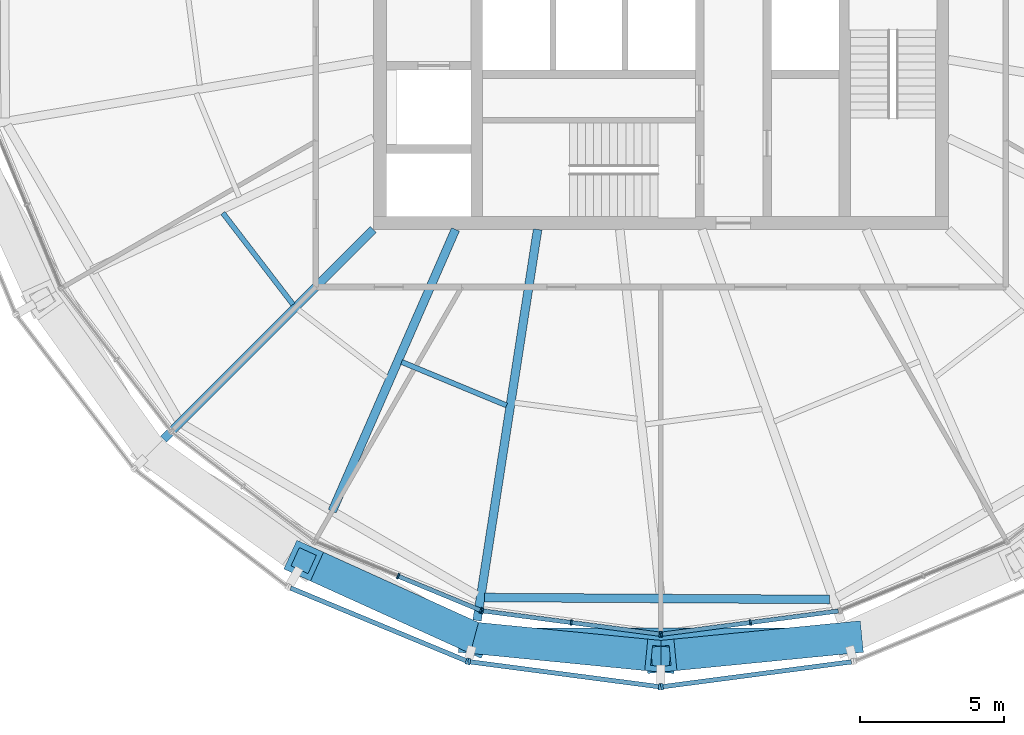
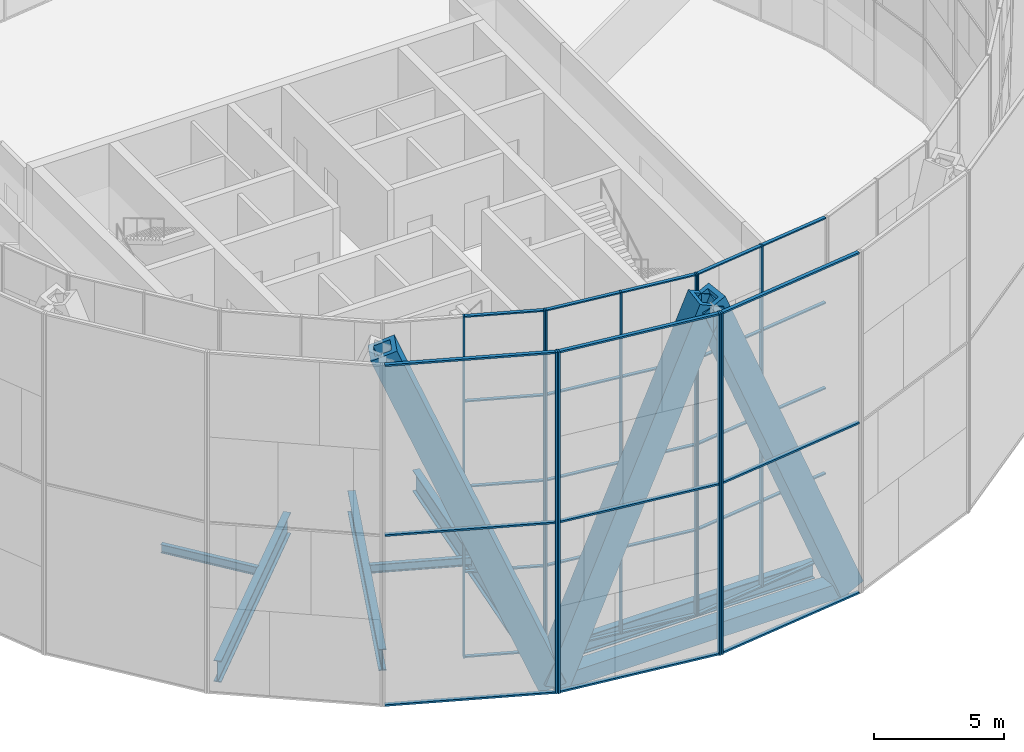
# One storey, part 2 of 30: 48 members, 7 beams, 6 elements without a shape of their own.
"""IFC4 building model written with IfcOpenShell, lengths in metres."""

from ifc_helpers import new_model, si_unit, direction, frame, origin, origin_2d, place, context, subcontext, project, spatial, rectangle, hollow_rectangle, i_section, extrude, material, material_profile, profile_set, type_object, element, aggregate, save


model = new_model("IFC4")

# Units and contexts
model_context = context("Model", 3, precision=1e-05, world=origin(), true_north=direction((0.0, 1.0)))
body_context = subcontext(model_context, "Body", "Model", "MODEL_VIEW")
ifc_project = project(units=[si_unit("LENGTHUNIT", "METRE"), si_unit("AREAUNIT", "SQUARE_METRE"), si_unit("VOLUMEUNIT", "CUBIC_METRE"), si_unit("PLANEANGLEUNIT", "RADIAN"), si_unit("MASSUNIT", "GRAM", prefix="KILO")], contexts=[model_context])

# Site, building, storey
site_placement = place(None, origin())
site = spatial("IfcSite", under=ifc_project, at=site_placement, CompositionType="ELEMENT")
building_placement = place(site_placement, origin())
building = spatial("IfcBuilding", under=site, at=building_placement, Name="Golbaran Civic Tower", CompositionType="ELEMENT")
storey_placement = place(building_placement, frame((0.0, 0.0, 167.0)))
storey = spatial("IfcBuildingStorey", under=building, at=storey_placement, Name="L40", CompositionType="ELEMENT", Elevation=167.0)

# Members
ifc_material_1 = material(Name="Steel S355", Category="steel")
ifc_material_profile_1 = material_profile(ifc_material_1, hollow_rectangle(XDim=1.10009765625, YDim=1.10009765625, WallThickness=0.199951171875, at=origin_2d()), Name="BOX 1100x1100x200")
ifc_profile_set_1 = profile_set([ifc_material_profile_1], Name="Steel S355")
member_type_1 = type_object("IfcMemberType", Name="DIAGRID DIAGONAL BOX 1100x1100x200", PredefinedType="BRACE", material=ifc_profile_set_1)
for number, where, z_axis, x_axis, name in (
    (1, (-6.48681640625, -24.208984375, -0.7099609375), (0.375465296726, -0.036924758011, 0.92610062801), (0.097871849998, 0.995199025812, 0.0), "Diagonal D09-08R L40-L44"),
    (2, (-6.48681640625, -24.208984375, -0.7099609375), (-0.343627476497, 0.155753672162, 0.926099860169), (-0.412834767347, -0.910805936997, 0.0), "Diagonal D09-08L L40-L44"),
    (3, (6.48681640625, -24.208984375, -0.7099609375), (-0.375465296726, -0.036924758011, 0.92610062801), (0.097871849998, -0.995199025812, 0.0), "Diagonal D09-09L L40-L44"),
):
    element("IfcMember", number, at=place(storey_placement, frame(where, z_axis=z_axis, x_axis=x_axis)), inside=storey, type_object=member_type_1, Name=name, PredefinedType="BRACE", context=body_context, shape_type="SweptSolid", body=[
        extrude(hollow_rectangle(XDim=1.10009765625, YDim=1.10009765625, WallThickness=0.199951171875, at=origin_2d()), origin(), (0.0, 0.0, 1.0), 17.27685546875),
    ])

# Beams
ifc_material_profile_2 = material_profile(ifc_material_1, hollow_rectangle(XDim=0.699951171875, YDim=0.699951171875, WallThickness=0.080078125, at=origin_2d()), Name="BOX 700x700x80")
ifc_profile_set_2 = profile_set([ifc_material_profile_2], Name="Steel S355")
beam_type_1 = type_object("IfcBeamType", Name="DIAGRID RING TIE BOX 700x700x80", PredefinedType="BEAM", material=ifc_profile_set_2)
beam_1_placement = place(storey_placement, frame((-6.48681640625, -24.208984375, -0.7099609375), z_axis=(1.0, 0.0, 0.0), x_axis=(0.0, 1.0, 0.0)))
element("IfcBeam", 4, at=beam_1_placement, inside=storey, type_object=beam_type_1, Name="Ring tie 255.00 L40", PredefinedType="BEAM", context=body_context, shape_type="SweptSolid", body=[
    extrude(hollow_rectangle(XDim=0.699951171875, YDim=0.699951171875, WallThickness=0.080078125, at=origin_2d()), origin(), (0.0, 0.0, 1.0), 12.9736328125),
])
ifc_material_profile_3 = material_profile(ifc_material_1, i_section(OverallWidth=0.300048828125, OverallDepth=0.800048828125, WebThickness=0.017578125, FlangeThickness=0.032958984375, FilletRadius=0.030029296875, at=origin_2d()), Name="HEB 800")
ifc_profile_set_3 = profile_set([ifc_material_profile_3], Name="Steel S355")
beam_type_2 = type_object("IfcBeamType", Name="EDGE BEAM HEB 800", PredefinedType="BEAM", material=ifc_profile_set_3)
beam_2_placement = place(storey_placement, frame((-6.13720703125, -22.8017578125, -0.60009765625), z_axis=(0.999984030344, -0.005651464941, 0.0), x_axis=(0.005651464941, 0.999984030344, 0.0)))
element("IfcBeam", 5, at=beam_2_placement, inside=storey, type_object=beam_type_2, Name="Edge beam 255.00 L40", PredefinedType="BEAM", context=body_context, shape_type="SweptSolid", body=[
    extrude(i_section(OverallWidth=0.300048828125, OverallDepth=0.800048828125, WebThickness=0.017578125, FlangeThickness=0.032958984375, FilletRadius=0.030029296875, at=origin_2d()), origin(), (0.0, 0.0, 1.0), 12.009521484375),
])
ifc_material_profile_4 = material_profile(ifc_material_1, i_section(OverallWidth=0.179931640625, OverallDepth=0.39990234375, WebThickness=0.008544921875, FlangeThickness=0.013427734375, FilletRadius=0.02099609375, at=origin_2d()), Name="IPE 400")
ifc_profile_set_4 = profile_set([ifc_material_profile_4], Name="Steel S355")
beam_type_3 = type_object("IfcBeamType", Name="FLOOR INFILL BEAM IPE 400", PredefinedType="BEAM", material=ifc_profile_set_4)
beam_3_placement = place(storey_placement, frame((-15.235107421875, -9.427490234375, -0.39990234375), z_axis=(0.608748404542, -0.793363334146, 0.0), x_axis=(0.793363334146, 0.608748404542, 0.0)))
element("IfcBeam", 6, at=beam_3_placement, inside=storey, type_object=beam_type_3, Name="Infill beam 217.50 L40", PredefinedType="BEAM", context=body_context, shape_type="SweptSolid", body=[
    extrude(i_section(OverallWidth=0.179931640625, OverallDepth=0.39990234375, WebThickness=0.008544921875, FlangeThickness=0.013427734375, FilletRadius=0.02099609375, at=origin_2d()), origin(), (0.0, 0.0, 1.0), 4.010986328125),
])
beam_4_placement = place(storey_placement, frame((-9.01708984375, -14.607421875, -0.39990234375), z_axis=(0.923897142822, -0.382640914546, 0.0), x_axis=(0.382640914546, 0.923897142822, 0.0)))
element("IfcBeam", 7, at=beam_4_placement, inside=storey, type_object=beam_type_3, Name="Infill beam 247.50 L40", PredefinedType="BEAM", context=body_context, shape_type="SweptSolid", body=[
    extrude(i_section(OverallWidth=0.179931640625, OverallDepth=0.39990234375, WebThickness=0.008544921875, FlangeThickness=0.013427734375, FilletRadius=0.02099609375, at=origin_2d()), origin(), (0.0, 0.0, 1.0), 3.95263671875),
])

# Curtain wall, members
ifc_material_2 = material(Name="Aluminium and glass", Category="aluminium")
curtain_wall_type_1 = type_object("IfcCurtainWallType", Name="INNER SKIN CURTAIN WALL EXECUTIVE", PredefinedType="NOTDEFINED", material=ifc_material_2)
curtain_wall_1_placement = place(storey_placement, origin())
curtain_wall_1 = element("IfcCurtainWall", 8, at=curtain_wall_1_placement, inside=storey, type_object=curtain_wall_type_1, Name="Inner skin L40 facet 17 CW2", ObjectType="INNER SKIN", PredefinedType="USERDEFINED")
ifc_material_3 = material(Name="Aluminium", Category="aluminium")
ifc_material_profile_5 = material_profile(ifc_material_3, rectangle(XDim=0.199951171875, YDim=0.06005859375, at=origin_2d()), Name="INNER SKIN CURTAIN WALL EXECUTIVE MULLION")
ifc_profile_set_5 = profile_set([ifc_material_profile_5], Name="Aluminium")
member_type_2 = type_object("IfcMemberType", Name="INNER SKIN CURTAIN WALL EXECUTIVE MULLION", PredefinedType="MULLION", material=ifc_profile_set_5)
member_1_placement = place(storey_placement, frame((-9.13720703125, -22.059326171875, 0.0), z_axis=(0.0, 0.0, 1.0), x_axis=(0.382683432462, 0.923879532471, 0.0)))
member_1 = element("IfcMember", 9, at=member_1_placement, type_object=member_type_2, Name="CW2 mullion 2", PredefinedType="MULLION", context=body_context, shape_type="SweptSolid", body=[
    extrude(rectangle(XDim=0.199951171875, YDim=0.06005859375, at=origin_2d()), origin(), (0.0, 0.0, 1.0), 16.0),
])
member_2_placement = place(storey_placement, frame((-6.2607421875, -23.2509765625, 0.0), z_axis=(0.0, 0.0, 1.0), x_axis=(0.382683432462, 0.923879532471, 0.0)))
member_2 = element("IfcMember", 10, at=member_2_placement, type_object=member_type_2, Name="CW2 mullion 3", PredefinedType="MULLION", context=body_context, shape_type="SweptSolid", body=[
    extrude(rectangle(XDim=0.199951171875, YDim=0.06005859375, at=origin_2d()), origin(), (0.0, 0.0, 1.0), 16.0),
])

curtain_wall_2_placement = place(storey_placement, origin())
curtain_wall_2 = element("IfcCurtainWall", 11, at=curtain_wall_2_placement, inside=storey, type_object=curtain_wall_type_1, Name="Inner skin L40 facet 18 CW2", ObjectType="INNER SKIN", PredefinedType="USERDEFINED")
member_3_placement = place(storey_placement, frame((-6.203369140625, -23.266357421875, 0.0), z_axis=(0.0, 0.0, 1.0), x_axis=(0.130526192151, 0.991444861383, 0.0)))
member_3 = element("IfcMember", 12, at=member_3_placement, type_object=member_type_2, Name="CW2 mullion 1", PredefinedType="MULLION", context=body_context, shape_type="SweptSolid", body=[
    extrude(rectangle(XDim=0.199951171875, YDim=0.06005859375, at=origin_2d()), origin(), (0.0, 0.0, 1.0), 16.0),
])
member_4_placement = place(storey_placement, frame((-3.116455078125, -23.672607421875, 0.0), z_axis=(0.0, 0.0, 1.0), x_axis=(0.130526192151, 0.991444861383, 0.0)))
member_4 = element("IfcMember", 13, at=member_4_placement, type_object=member_type_2, Name="CW2 mullion 2", PredefinedType="MULLION", context=body_context, shape_type="SweptSolid", body=[
    extrude(rectangle(XDim=0.199951171875, YDim=0.06005859375, at=origin_2d()), origin(), (0.0, 0.0, 1.0), 16.0),
])
member_5_placement = place(storey_placement, frame((-0.02978515625, -24.0791015625, 0.0), z_axis=(0.0, 0.0, 1.0), x_axis=(0.130526192151, 0.991444861383, 0.0)))
member_5 = element("IfcMember", 14, at=member_5_placement, type_object=member_type_2, Name="CW2 mullion 3", PredefinedType="MULLION", context=body_context, shape_type="SweptSolid", body=[
    extrude(rectangle(XDim=0.199951171875, YDim=0.06005859375, at=origin_2d()), origin(), (0.0, 0.0, 1.0), 16.0),
])

curtain_wall_3_placement = place(storey_placement, origin())
curtain_wall_3 = element("IfcCurtainWall", 15, at=curtain_wall_3_placement, inside=storey, type_object=curtain_wall_type_1, Name="Inner skin L40 facet 19 CW2", ObjectType="INNER SKIN", PredefinedType="USERDEFINED")
member_6_placement = place(storey_placement, frame((0.02978515625, -24.0791015625, 0.0), z_axis=(0.0, 0.0, 1.0), x_axis=(-0.130526192151, 0.991444861383, 0.0)))
member_6 = element("IfcMember", 16, at=member_6_placement, type_object=member_type_2, Name="CW2 mullion 1", PredefinedType="MULLION", context=body_context, shape_type="SweptSolid", body=[
    extrude(rectangle(XDim=0.199951171875, YDim=0.06005859375, at=origin_2d()), origin(), (0.0, 0.0, 1.0), 16.0),
])
member_7_placement = place(storey_placement, frame((3.116455078125, -23.672607421875, 0.0), z_axis=(0.0, 0.0, 1.0), x_axis=(-0.130526192151, 0.991444861383, 0.0)))
member_7 = element("IfcMember", 17, at=member_7_placement, type_object=member_type_2, Name="CW2 mullion 2", PredefinedType="MULLION", context=body_context, shape_type="SweptSolid", body=[
    extrude(rectangle(XDim=0.199951171875, YDim=0.06005859375, at=origin_2d()), origin(), (0.0, 0.0, 1.0), 16.0),
])

# Member
ifc_material_profile_6 = material_profile(ifc_material_3, rectangle(XDim=0.14990234375, YDim=0.06005859375, at=origin_2d()), Name="INNER SKIN CURTAIN WALL EXECUTIVE TRANSOM")
ifc_profile_set_6 = profile_set([ifc_material_profile_6], Name="Aluminium")
member_type_3 = type_object("IfcMemberType", Name="INNER SKIN CURTAIN WALL EXECUTIVE TRANSOM", PredefinedType="USERDEFINED", material=ifc_profile_set_6)
member_8_placement = place(storey_placement, frame((-9.109619140625, -22.07080078125, 0.030029296875), z_axis=(0.923857982963, -0.382735453435, 0.0), x_axis=(0.382735453435, 0.923857982963, 0.0)))
member_8 = element("IfcMember", 18, at=member_8_placement, type_object=member_type_3, Name="CW2 transom 2.1", ObjectType="TRANSOM", PredefinedType="USERDEFINED", context=body_context, shape_type="SweptSolid", body=[
    extrude(rectangle(XDim=0.14990234375, YDim=0.06005859375, at=origin_2d()), origin(), (0.0, 0.0, 1.0), 3.053466796875),
])

member_9_placement = place(storey_placement, frame((-9.109619140625, -22.07080078125, 4.0), z_axis=(0.923857982963, -0.382735453435, 0.0), x_axis=(0.382735453435, 0.923857982963, 0.0)))
member_9 = element("IfcMember", 19, at=member_9_placement, type_object=member_type_3, Name="CW2 transom 2.2", ObjectType="TRANSOM", PredefinedType="USERDEFINED", context=body_context, shape_type="SweptSolid", body=[
    extrude(rectangle(XDim=0.14990234375, YDim=0.06005859375, at=origin_2d()), origin(), (0.0, 0.0, 1.0), 3.053466796875),
])

member_10_placement = place(storey_placement, frame((-9.109619140625, -22.07080078125, 8.0), z_axis=(0.923857982963, -0.382735453435, 0.0), x_axis=(0.382735453435, 0.923857982963, 0.0)))
member_10 = element("IfcMember", 20, at=member_10_placement, type_object=member_type_3, Name="CW2 transom 2.3", ObjectType="TRANSOM", PredefinedType="USERDEFINED", context=body_context, shape_type="SweptSolid", body=[
    extrude(rectangle(XDim=0.14990234375, YDim=0.06005859375, at=origin_2d()), origin(), (0.0, 0.0, 1.0), 3.053466796875),
])

member_11_placement = place(storey_placement, frame((-9.109619140625, -22.07080078125, 12.0), z_axis=(0.923857982963, -0.382735453435, 0.0), x_axis=(0.382735453435, 0.923857982963, 0.0)))
member_11 = element("IfcMember", 21, at=member_11_placement, type_object=member_type_3, Name="CW2 transom 2.4", ObjectType="TRANSOM", PredefinedType="USERDEFINED", context=body_context, shape_type="SweptSolid", body=[
    extrude(rectangle(XDim=0.14990234375, YDim=0.06005859375, at=origin_2d()), origin(), (0.0, 0.0, 1.0), 3.053466796875),
])

member_12_placement = place(storey_placement, frame((-9.109619140625, -22.07080078125, 15.969970703125), z_axis=(0.923857982963, -0.382735453435, 0.0), x_axis=(0.382735453435, 0.923857982963, 0.0)))
member_12 = element("IfcMember", 22, at=member_12_placement, type_object=member_type_3, Name="CW2 transom 2.5", ObjectType="TRANSOM", PredefinedType="USERDEFINED", context=body_context, shape_type="SweptSolid", body=[
    extrude(rectangle(XDim=0.14990234375, YDim=0.06005859375, at=origin_2d()), origin(), (0.0, 0.0, 1.0), 3.053466796875),
])

aggregate(curtain_wall_1, [member_1, member_2, member_8, member_9, member_10, member_11, member_12])

member_13_placement = place(storey_placement, frame((-6.173583984375, -23.270263671875, 0.030029296875), z_axis=(0.991449940701, -0.130487605099, 0.0), x_axis=(0.130487605099, 0.991449940701, 0.0)))
member_13 = element("IfcMember", 23, at=member_13_placement, type_object=member_type_3, Name="CW2 transom 1.1", ObjectType="TRANSOM", PredefinedType="USERDEFINED", context=body_context, shape_type="SweptSolid", body=[
    extrude(rectangle(XDim=0.14990234375, YDim=0.06005859375, at=origin_2d()), origin(), (0.0, 0.0, 1.0), 3.053466796875),
])

member_14_placement = place(storey_placement, frame((-6.173583984375, -23.270263671875, 4.0), z_axis=(0.991449940701, -0.130487605099, 0.0), x_axis=(0.130487605099, 0.991449940701, 0.0)))
member_14 = element("IfcMember", 24, at=member_14_placement, type_object=member_type_3, Name="CW2 transom 1.2", ObjectType="TRANSOM", PredefinedType="USERDEFINED", context=body_context, shape_type="SweptSolid", body=[
    extrude(rectangle(XDim=0.14990234375, YDim=0.06005859375, at=origin_2d()), origin(), (0.0, 0.0, 1.0), 3.053466796875),
])

member_15_placement = place(storey_placement, frame((-6.173583984375, -23.270263671875, 8.0), z_axis=(0.991449940701, -0.130487605099, 0.0), x_axis=(0.130487605099, 0.991449940701, 0.0)))
member_15 = element("IfcMember", 25, at=member_15_placement, type_object=member_type_3, Name="CW2 transom 1.3", ObjectType="TRANSOM", PredefinedType="USERDEFINED", context=body_context, shape_type="SweptSolid", body=[
    extrude(rectangle(XDim=0.14990234375, YDim=0.06005859375, at=origin_2d()), origin(), (0.0, 0.0, 1.0), 3.053466796875),
])

member_16_placement = place(storey_placement, frame((-6.173583984375, -23.270263671875, 12.0), z_axis=(0.991449940701, -0.130487605099, 0.0), x_axis=(0.130487605099, 0.991449940701, 0.0)))
member_16 = element("IfcMember", 26, at=member_16_placement, type_object=member_type_3, Name="CW2 transom 1.4", ObjectType="TRANSOM", PredefinedType="USERDEFINED", context=body_context, shape_type="SweptSolid", body=[
    extrude(rectangle(XDim=0.14990234375, YDim=0.06005859375, at=origin_2d()), origin(), (0.0, 0.0, 1.0), 3.053466796875),
])

member_17_placement = place(storey_placement, frame((-6.173583984375, -23.270263671875, 15.969970703125), z_axis=(0.991449940701, -0.130487605099, 0.0), x_axis=(0.130487605099, 0.991449940701, 0.0)))
member_17 = element("IfcMember", 27, at=member_17_placement, type_object=member_type_3, Name="CW2 transom 1.5", ObjectType="TRANSOM", PredefinedType="USERDEFINED", context=body_context, shape_type="SweptSolid", body=[
    extrude(rectangle(XDim=0.14990234375, YDim=0.06005859375, at=origin_2d()), origin(), (0.0, 0.0, 1.0), 3.053466796875),
])

member_18_placement = place(storey_placement, frame((-3.0869140625, -23.676513671875, 0.030029296875), z_axis=(0.991439593678, -0.130566198103, 0.0), x_axis=(0.130566198103, 0.991439593678, 0.0)))
member_18 = element("IfcMember", 28, at=member_18_placement, type_object=member_type_3, Name="CW2 transom 2.1", ObjectType="TRANSOM", PredefinedType="USERDEFINED", context=body_context, shape_type="SweptSolid", body=[
    extrude(rectangle(XDim=0.14990234375, YDim=0.06005859375, at=origin_2d()), origin(), (0.0, 0.0, 1.0), 3.053466796875),
])

member_19_placement = place(storey_placement, frame((-3.0869140625, -23.676513671875, 4.0), z_axis=(0.991439593678, -0.130566198103, 0.0), x_axis=(0.130566198103, 0.991439593678, 0.0)))
member_19 = element("IfcMember", 29, at=member_19_placement, type_object=member_type_3, Name="CW2 transom 2.2", ObjectType="TRANSOM", PredefinedType="USERDEFINED", context=body_context, shape_type="SweptSolid", body=[
    extrude(rectangle(XDim=0.14990234375, YDim=0.06005859375, at=origin_2d()), origin(), (0.0, 0.0, 1.0), 3.053466796875),
])

member_20_placement = place(storey_placement, frame((-3.0869140625, -23.676513671875, 8.0), z_axis=(0.991439593678, -0.130566198103, 0.0), x_axis=(0.130566198103, 0.991439593678, 0.0)))
member_20 = element("IfcMember", 30, at=member_20_placement, type_object=member_type_3, Name="CW2 transom 2.3", ObjectType="TRANSOM", PredefinedType="USERDEFINED", context=body_context, shape_type="SweptSolid", body=[
    extrude(rectangle(XDim=0.14990234375, YDim=0.06005859375, at=origin_2d()), origin(), (0.0, 0.0, 1.0), 3.053466796875),
])

member_21_placement = place(storey_placement, frame((-3.0869140625, -23.676513671875, 12.0), z_axis=(0.991439593678, -0.130566198103, 0.0), x_axis=(0.130566198103, 0.991439593678, 0.0)))
member_21 = element("IfcMember", 31, at=member_21_placement, type_object=member_type_3, Name="CW2 transom 2.4", ObjectType="TRANSOM", PredefinedType="USERDEFINED", context=body_context, shape_type="SweptSolid", body=[
    extrude(rectangle(XDim=0.14990234375, YDim=0.06005859375, at=origin_2d()), origin(), (0.0, 0.0, 1.0), 3.053466796875),
])

member_22_placement = place(storey_placement, frame((-3.0869140625, -23.676513671875, 15.969970703125), z_axis=(0.991439593678, -0.130566198103, 0.0), x_axis=(0.130566198103, 0.991439593678, 0.0)))
member_22 = element("IfcMember", 32, at=member_22_placement, type_object=member_type_3, Name="CW2 transom 2.5", ObjectType="TRANSOM", PredefinedType="USERDEFINED", context=body_context, shape_type="SweptSolid", body=[
    extrude(rectangle(XDim=0.14990234375, YDim=0.06005859375, at=origin_2d()), origin(), (0.0, 0.0, 1.0), 3.053466796875),
])

aggregate(curtain_wall_2, [member_3, member_4, member_5, member_13, member_14, member_15, member_16, member_17, member_18, member_19, member_20, member_21, member_22])

member_23_placement = place(storey_placement, frame((0.0595703125, -24.0751953125, 0.030029296875), z_axis=(0.991439593678, 0.130566198103, 0.0), x_axis=(-0.130566198103, 0.991439593678, 0.0)))
member_23 = element("IfcMember", 33, at=member_23_placement, type_object=member_type_3, Name="CW2 transom 1.1", ObjectType="TRANSOM", PredefinedType="USERDEFINED", context=body_context, shape_type="SweptSolid", body=[
    extrude(rectangle(XDim=0.14990234375, YDim=0.06005859375, at=origin_2d()), origin(), (0.0, 0.0, 1.0), 3.053466796875),
])

member_24_placement = place(storey_placement, frame((0.0595703125, -24.0751953125, 4.0), z_axis=(0.991439593678, 0.130566198103, 0.0), x_axis=(-0.130566198103, 0.991439593678, 0.0)))
member_24 = element("IfcMember", 34, at=member_24_placement, type_object=member_type_3, Name="CW2 transom 1.2", ObjectType="TRANSOM", PredefinedType="USERDEFINED", context=body_context, shape_type="SweptSolid", body=[
    extrude(rectangle(XDim=0.14990234375, YDim=0.06005859375, at=origin_2d()), origin(), (0.0, 0.0, 1.0), 3.053466796875),
])

member_25_placement = place(storey_placement, frame((0.0595703125, -24.0751953125, 8.0), z_axis=(0.991439593678, 0.130566198103, 0.0), x_axis=(-0.130566198103, 0.991439593678, 0.0)))
member_25 = element("IfcMember", 35, at=member_25_placement, type_object=member_type_3, Name="CW2 transom 1.3", ObjectType="TRANSOM", PredefinedType="USERDEFINED", context=body_context, shape_type="SweptSolid", body=[
    extrude(rectangle(XDim=0.14990234375, YDim=0.06005859375, at=origin_2d()), origin(), (0.0, 0.0, 1.0), 3.053466796875),
])

member_26_placement = place(storey_placement, frame((0.0595703125, -24.0751953125, 12.0), z_axis=(0.991439593678, 0.130566198103, 0.0), x_axis=(-0.130566198103, 0.991439593678, 0.0)))
member_26 = element("IfcMember", 36, at=member_26_placement, type_object=member_type_3, Name="CW2 transom 1.4", ObjectType="TRANSOM", PredefinedType="USERDEFINED", context=body_context, shape_type="SweptSolid", body=[
    extrude(rectangle(XDim=0.14990234375, YDim=0.06005859375, at=origin_2d()), origin(), (0.0, 0.0, 1.0), 3.053466796875),
])

member_27_placement = place(storey_placement, frame((0.0595703125, -24.0751953125, 15.969970703125), z_axis=(0.991439593678, 0.130566198103, 0.0), x_axis=(-0.130566198103, 0.991439593678, 0.0)))
member_27 = element("IfcMember", 37, at=member_27_placement, type_object=member_type_3, Name="CW2 transom 1.5", ObjectType="TRANSOM", PredefinedType="USERDEFINED", context=body_context, shape_type="SweptSolid", body=[
    extrude(rectangle(XDim=0.14990234375, YDim=0.06005859375, at=origin_2d()), origin(), (0.0, 0.0, 1.0), 3.053466796875),
])

member_28_placement = place(storey_placement, frame((3.146240234375, -23.668701171875, 0.030029296875), z_axis=(0.991449940701, 0.130487605099, 0.0), x_axis=(-0.130487605099, 0.991449940701, 0.0)))
member_28 = element("IfcMember", 38, at=member_28_placement, type_object=member_type_3, Name="CW2 transom 2.1", ObjectType="TRANSOM", PredefinedType="USERDEFINED", context=body_context, shape_type="SweptSolid", body=[
    extrude(rectangle(XDim=0.14990234375, YDim=0.06005859375, at=origin_2d()), origin(), (0.0, 0.0, 1.0), 3.053466796875),
])

member_29_placement = place(storey_placement, frame((3.146240234375, -23.668701171875, 4.0), z_axis=(0.991449940701, 0.130487605099, 0.0), x_axis=(-0.130487605099, 0.991449940701, 0.0)))
member_29 = element("IfcMember", 39, at=member_29_placement, type_object=member_type_3, Name="CW2 transom 2.2", ObjectType="TRANSOM", PredefinedType="USERDEFINED", context=body_context, shape_type="SweptSolid", body=[
    extrude(rectangle(XDim=0.14990234375, YDim=0.06005859375, at=origin_2d()), origin(), (0.0, 0.0, 1.0), 3.053466796875),
])

member_30_placement = place(storey_placement, frame((3.146240234375, -23.668701171875, 8.0), z_axis=(0.991449940701, 0.130487605099, 0.0), x_axis=(-0.130487605099, 0.991449940701, 0.0)))
member_30 = element("IfcMember", 40, at=member_30_placement, type_object=member_type_3, Name="CW2 transom 2.3", ObjectType="TRANSOM", PredefinedType="USERDEFINED", context=body_context, shape_type="SweptSolid", body=[
    extrude(rectangle(XDim=0.14990234375, YDim=0.06005859375, at=origin_2d()), origin(), (0.0, 0.0, 1.0), 3.053466796875),
])

member_31_placement = place(storey_placement, frame((3.146240234375, -23.668701171875, 12.0), z_axis=(0.991449940701, 0.130487605099, 0.0), x_axis=(-0.130487605099, 0.991449940701, 0.0)))
member_31 = element("IfcMember", 41, at=member_31_placement, type_object=member_type_3, Name="CW2 transom 2.4", ObjectType="TRANSOM", PredefinedType="USERDEFINED", context=body_context, shape_type="SweptSolid", body=[
    extrude(rectangle(XDim=0.14990234375, YDim=0.06005859375, at=origin_2d()), origin(), (0.0, 0.0, 1.0), 3.053466796875),
])

member_32_placement = place(storey_placement, frame((3.146240234375, -23.668701171875, 15.969970703125), z_axis=(0.991449940701, 0.130487605099, 0.0), x_axis=(-0.130487605099, 0.991449940701, 0.0)))
member_32 = element("IfcMember", 42, at=member_32_placement, type_object=member_type_3, Name="CW2 transom 2.5", ObjectType="TRANSOM", PredefinedType="USERDEFINED", context=body_context, shape_type="SweptSolid", body=[
    extrude(rectangle(XDim=0.14990234375, YDim=0.06005859375, at=origin_2d()), origin(), (0.0, 0.0, 1.0), 3.053466796875),
])

aggregate(curtain_wall_3, [member_6, member_7, member_23, member_24, member_25, member_26, member_27, member_28, member_29, member_30, member_31, member_32])

# Curtain wall, member
curtain_wall_type_2 = type_object("IfcCurtainWallType", Name="OUTER SKIN TERRACOTTA SCREEN", PredefinedType="NOTDEFINED", material=ifc_material_2)
curtain_wall_4_placement = place(storey_placement, origin())
curtain_wall_4 = element("IfcCurtainWall", 43, at=curtain_wall_4_placement, inside=storey, type_object=curtain_wall_type_2, Name="Outer skin L40 facet 17 CW3", ObjectType="OUTER SKIN", PredefinedType="USERDEFINED")
ifc_material_profile_7 = material_profile(ifc_material_3, rectangle(XDim=0.219970703125, YDim=0.080078125, at=origin_2d()), Name="OUTER SKIN TERRACOTTA SCREEN MULLION")
ifc_profile_set_7 = profile_set([ifc_material_profile_7], Name="Aluminium")
member_type_4 = type_object("IfcMemberType", Name="OUTER SKIN TERRACOTTA SCREEN MULLION", PredefinedType="MULLION", material=ifc_profile_set_7)
member_33_placement = place(storey_placement, frame((-6.74365234375, -25.0146484375, -0.7099609375), z_axis=(0.0, 0.0, 1.0), x_axis=(0.382683432462, 0.923879532471, 0.0)))
member_33 = element("IfcMember", 44, at=member_33_placement, type_object=member_type_4, Name="CW3 mullion 2", PredefinedType="MULLION", context=body_context, shape_type="SweptSolid", body=[
    extrude(rectangle(XDim=0.219970703125, YDim=0.080078125, at=origin_2d()), origin(), (0.0, 0.0, 1.0), 16.0),
])

# Curtain wall, members
curtain_wall_5_placement = place(storey_placement, origin())
curtain_wall_5 = element("IfcCurtainWall", 45, at=curtain_wall_5_placement, inside=storey, type_object=curtain_wall_type_2, Name="Outer skin L40 facet 18 CW3", ObjectType="OUTER SKIN", PredefinedType="USERDEFINED")
member_34_placement = place(storey_placement, frame((-6.667236328125, -25.03515625, -0.7099609375), z_axis=(0.0, 0.0, 1.0), x_axis=(0.130526192168, 0.991444861381, 0.0)))
member_34 = element("IfcMember", 46, at=member_34_placement, type_object=member_type_4, Name="CW3 mullion 1", PredefinedType="MULLION", context=body_context, shape_type="SweptSolid", body=[
    extrude(rectangle(XDim=0.219970703125, YDim=0.080078125, at=origin_2d()), origin(), (0.0, 0.0, 1.0), 16.0),
])
member_35_placement = place(storey_placement, frame((-0.03955078125, -25.90771484375, -0.7099609375), z_axis=(0.0, 0.0, 1.0), x_axis=(0.130526192168, 0.991444861381, 0.0)))
member_35 = element("IfcMember", 47, at=member_35_placement, type_object=member_type_4, Name="CW3 mullion 2", PredefinedType="MULLION", context=body_context, shape_type="SweptSolid", body=[
    extrude(rectangle(XDim=0.219970703125, YDim=0.080078125, at=origin_2d()), origin(), (0.0, 0.0, 1.0), 16.0),
])

# Curtain wall, member
curtain_wall_6_placement = place(storey_placement, origin())
curtain_wall_6 = element("IfcCurtainWall", 48, at=curtain_wall_6_placement, inside=storey, type_object=curtain_wall_type_2, Name="Outer skin L40 facet 19 CW3", ObjectType="OUTER SKIN", PredefinedType="USERDEFINED")
member_36_placement = place(storey_placement, frame((0.03955078125, -25.90771484375, -0.7099609375), z_axis=(0.0, 0.0, 1.0), x_axis=(-0.130526192168, 0.991444861381, 0.0)))
member_36 = element("IfcMember", 49, at=member_36_placement, type_object=member_type_4, Name="CW3 mullion 1", PredefinedType="MULLION", context=body_context, shape_type="SweptSolid", body=[
    extrude(rectangle(XDim=0.219970703125, YDim=0.080078125, at=origin_2d()), origin(), (0.0, 0.0, 1.0), 16.0),
])

# Member
ifc_material_profile_8 = material_profile(ifc_material_3, rectangle(XDim=0.159912109375, YDim=0.080078125, at=origin_2d()), Name="OUTER SKIN TERRACOTTA SCREEN TRANSOM")
ifc_profile_set_8 = profile_set([ifc_material_profile_8], Name="Aluminium")
member_type_5 = type_object("IfcMemberType", Name="OUTER SKIN TERRACOTTA SCREEN TRANSOM", PredefinedType="USERDEFINED", material=ifc_profile_set_8)
member_37_placement = place(storey_placement, frame((-12.882568359375, -22.471923828125, -0.669921875), z_axis=(0.923872207905, -0.38270111505, 0.0), x_axis=(0.38270111505, 0.923872207905, 0.0)))
member_37 = element("IfcMember", 50, at=member_37_placement, type_object=member_type_5, Name="CW3 transom 1.1", ObjectType="TRANSOM", PredefinedType="USERDEFINED", context=body_context, shape_type="SweptSolid", body=[
    extrude(rectangle(XDim=0.159912109375, YDim=0.080078125, at=origin_2d()), origin(), (0.0, 0.0, 1.0), 6.6044921875),
])

member_38_placement = place(storey_placement, frame((-12.882568359375, -22.471923828125, 7.2900390625), z_axis=(0.923872207905, -0.38270111505, 0.0), x_axis=(0.38270111505, 0.923872207905, 0.0)))
member_38 = element("IfcMember", 51, at=member_38_placement, type_object=member_type_5, Name="CW3 transom 1.2", ObjectType="TRANSOM", PredefinedType="USERDEFINED", context=body_context, shape_type="SweptSolid", body=[
    extrude(rectangle(XDim=0.159912109375, YDim=0.080078125, at=origin_2d()), origin(), (0.0, 0.0, 1.0), 6.6044921875),
])

member_39_placement = place(storey_placement, frame((-12.882568359375, -22.471923828125, 15.25), z_axis=(0.923872207905, -0.38270111505, 0.0), x_axis=(0.38270111505, 0.923872207905, 0.0)))
member_39 = element("IfcMember", 52, at=member_39_placement, type_object=member_type_5, Name="CW3 transom 1.3", ObjectType="TRANSOM", PredefinedType="USERDEFINED", context=body_context, shape_type="SweptSolid", body=[
    extrude(rectangle(XDim=0.159912109375, YDim=0.080078125, at=origin_2d()), origin(), (0.0, 0.0, 1.0), 6.6044921875),
])

aggregate(curtain_wall_4, [member_33, member_37, member_38, member_39])

member_40_placement = place(storey_placement, frame((-6.62744140625, -25.04052734375, -0.669921875), z_axis=(0.991445108389, -0.130524315936, 0.0), x_axis=(0.130524315936, 0.991445108389, 0.0)))
member_40 = element("IfcMember", 53, at=member_40_placement, type_object=member_type_5, Name="CW3 transom 1.1", ObjectType="TRANSOM", PredefinedType="USERDEFINED", context=body_context, shape_type="SweptSolid", body=[
    extrude(rectangle(XDim=0.159912109375, YDim=0.080078125, at=origin_2d()), origin(), (0.0, 0.0, 1.0), 6.6044921875),
])

member_41_placement = place(storey_placement, frame((-6.62744140625, -25.04052734375, 7.2900390625), z_axis=(0.991445108389, -0.130524315936, 0.0), x_axis=(0.130524315936, 0.991445108389, 0.0)))
member_41 = element("IfcMember", 54, at=member_41_placement, type_object=member_type_5, Name="CW3 transom 1.2", ObjectType="TRANSOM", PredefinedType="USERDEFINED", context=body_context, shape_type="SweptSolid", body=[
    extrude(rectangle(XDim=0.159912109375, YDim=0.080078125, at=origin_2d()), origin(), (0.0, 0.0, 1.0), 6.6044921875),
])

member_42_placement = place(storey_placement, frame((-6.62744140625, -25.04052734375, 15.25), z_axis=(0.991445108389, -0.130524315936, 0.0), x_axis=(0.130524315936, 0.991445108389, 0.0)))
member_42 = element("IfcMember", 55, at=member_42_placement, type_object=member_type_5, Name="CW3 transom 1.3", ObjectType="TRANSOM", PredefinedType="USERDEFINED", context=body_context, shape_type="SweptSolid", body=[
    extrude(rectangle(XDim=0.159912109375, YDim=0.080078125, at=origin_2d()), origin(), (0.0, 0.0, 1.0), 6.6044921875),
])

aggregate(curtain_wall_5, [member_34, member_35, member_40, member_41, member_42])

member_43_placement = place(storey_placement, frame((0.079345703125, -25.902587890625, -0.669921875), z_axis=(0.991445108389, 0.130524315936, 0.0), x_axis=(-0.130524315936, 0.991445108389, 0.0)))
member_43 = element("IfcMember", 56, at=member_43_placement, type_object=member_type_5, Name="CW3 transom 1.1", ObjectType="TRANSOM", PredefinedType="USERDEFINED", context=body_context, shape_type="SweptSolid", body=[
    extrude(rectangle(XDim=0.159912109375, YDim=0.080078125, at=origin_2d()), origin(), (0.0, 0.0, 1.0), 6.6044921875),
])

member_44_placement = place(storey_placement, frame((0.079345703125, -25.902587890625, 7.2900390625), z_axis=(0.991445108389, 0.130524315936, 0.0), x_axis=(-0.130524315936, 0.991445108389, 0.0)))
member_44 = element("IfcMember", 57, at=member_44_placement, type_object=member_type_5, Name="CW3 transom 1.2", ObjectType="TRANSOM", PredefinedType="USERDEFINED", context=body_context, shape_type="SweptSolid", body=[
    extrude(rectangle(XDim=0.159912109375, YDim=0.080078125, at=origin_2d()), origin(), (0.0, 0.0, 1.0), 6.6044921875),
])

member_45_placement = place(storey_placement, frame((0.079345703125, -25.902587890625, 15.25), z_axis=(0.991445108389, 0.130524315936, 0.0), x_axis=(-0.130524315936, 0.991445108389, 0.0)))
member_45 = element("IfcMember", 58, at=member_45_placement, type_object=member_type_5, Name="CW3 transom 1.3", ObjectType="TRANSOM", PredefinedType="USERDEFINED", context=body_context, shape_type="SweptSolid", body=[
    extrude(rectangle(XDim=0.159912109375, YDim=0.080078125, at=origin_2d()), origin(), (0.0, 0.0, 1.0), 6.6044921875),
])

aggregate(curtain_wall_6, [member_36, member_43, member_44, member_45])

# Beams
ifc_material_profile_9 = material_profile(ifc_material_1, i_section(OverallWidth=0.300048828125, OverallDepth=1.0, WebThickness=0.01904296875, FlangeThickness=0.035888671875, FilletRadius=0.030029296875, at=origin_2d()), Name="HEB 1000")
ifc_profile_set_9 = profile_set([ifc_material_profile_9], Name="Steel S355")
beam_type_4 = type_object("IfcBeamType", Name="RADIAL FLOOR BEAM HEB 1000", PredefinedType="BEAM", material=ifc_profile_set_9)
beam_5_placement = place(storey_placement, frame((-10.0, -10.0, -0.7099609375), z_axis=(-0.707106781187, -0.707106781187, 0.0), x_axis=(0.707106781187, -0.707106781187, 0.0)))
element("IfcBeam", 59, at=beam_5_placement, inside=storey, type_object=beam_type_4, Name="Radial beam 225.00 L40", PredefinedType="BEAM", context=body_context, shape_type="SweptSolid", body=[
    extrude(i_section(OverallWidth=0.300048828125, OverallDepth=1.0, WebThickness=0.01904296875, FlangeThickness=0.035888671875, FilletRadius=0.030029296875, at=origin_2d()), origin(), (0.0, 0.0, 1.0), 10.317626953125),
])
beam_6_placement = place(storey_placement, frame((-4.28564453125, -10.0, -0.7099609375), z_axis=(-0.15308738105, -0.988212656144, 0.0), x_axis=(0.988212656144, -0.15308738105, 0.0)))
element("IfcBeam", 60, at=beam_6_placement, inside=storey, type_object=beam_type_4, Name="Radial beam 255.00 L40", PredefinedType="BEAM", context=body_context, shape_type="SweptSolid", body=[
    extrude(i_section(OverallWidth=0.300048828125, OverallDepth=1.0, WebThickness=0.01904296875, FlangeThickness=0.035888671875, FilletRadius=0.030029296875, at=origin_2d()), origin(), (0.0, 0.0, 1.0), 13.7646484375),
])
ifc_material_profile_10 = material_profile(ifc_material_1, i_section(OverallWidth=0.300048828125, OverallDepth=1.0, WebThickness=0.01904296875, FlangeThickness=0.035888671875, FilletRadius=0.030029296875, at=origin_2d()), Name="HEB 1000")
ifc_profile_set_10 = profile_set([ifc_material_profile_10], Name="Steel S355")
beam_type_5 = type_object("IfcBeamType", Name="SECONDARY FLOOR BEAM HEB 1000", PredefinedType="BEAM", material=ifc_profile_set_10)
beam_7_placement = place(storey_placement, frame((-7.142822265625, -10.0, -0.7099609375), z_axis=(-0.400902654418, -0.916120658909, 0.0), x_axis=(0.916120658909, -0.400902654418, 0.0)))
element("IfcBeam", 61, at=beam_7_placement, inside=storey, type_object=beam_type_5, Name="Secondary beam 240.00 L40", PredefinedType="BEAM", context=body_context, shape_type="SweptSolid", body=[
    extrude(i_section(OverallWidth=0.300048828125, OverallDepth=1.0, WebThickness=0.01904296875, FlangeThickness=0.035888671875, FilletRadius=0.030029296875, at=origin_2d()), origin(), (0.0, 0.0, 1.0), 10.695556640625),
])

save(model, "model.ifc")
